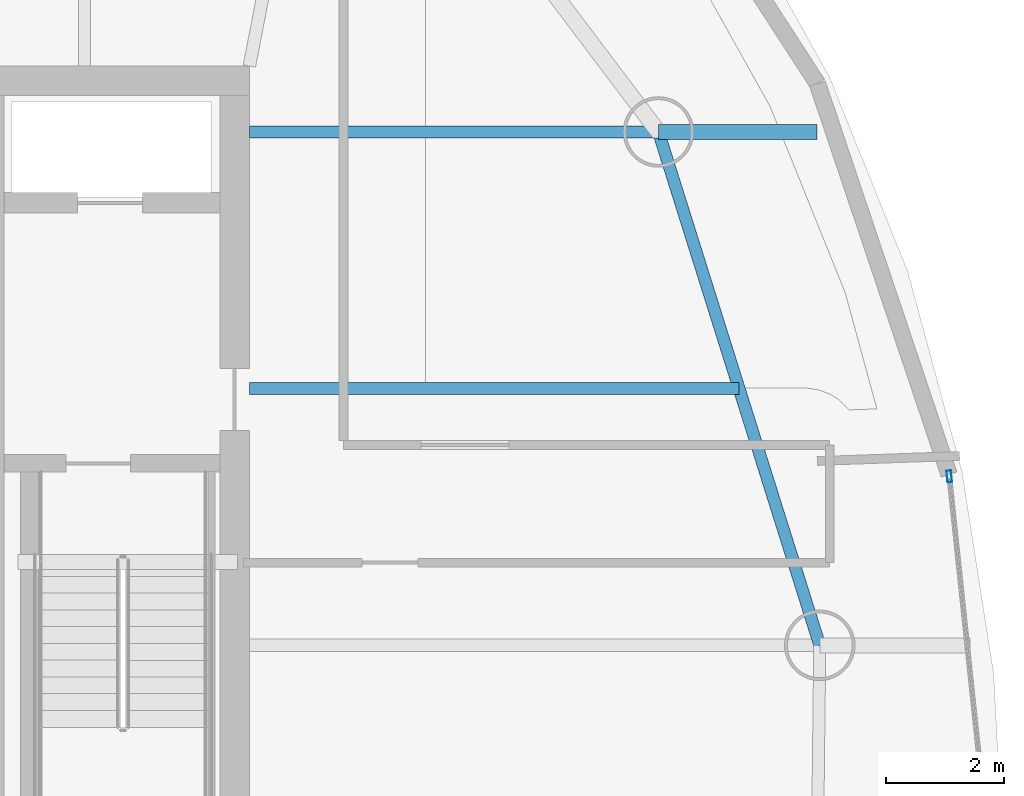
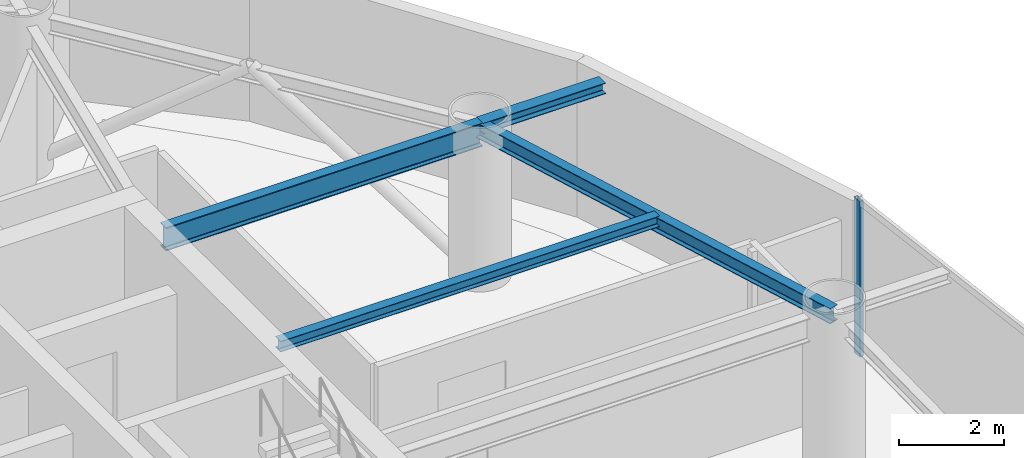
# One storey, part 8 of 20: 4 beams, 1 member, 1 element without a shape of its own.
"""IFC4 building model written with IfcOpenShell, lengths in metres."""

from ifc_helpers import new_model, si_unit, direction, frame, origin, origin_2d, place, context, subcontext, project, spatial, hollow_rectangle, i_section, extrude, material, layer, layer_set, material_profile, profile_set, type_object, element, aggregate, save


model = new_model("IFC4")

# Units and contexts
model_context = context("Model", 3, precision=1e-05, world=origin(), true_north=direction((0.0, 1.0)))
body_context = subcontext(model_context, "Body", "Model", "MODEL_VIEW")
ifc_project = project(units=[si_unit("LENGTHUNIT", "METRE"), si_unit("AREAUNIT", "SQUARE_METRE"), si_unit("VOLUMEUNIT", "CUBIC_METRE"), si_unit("PLANEANGLEUNIT", "RADIAN"), si_unit("MASSUNIT", "GRAM", prefix="KILO")], contexts=[model_context])

# Site, building, storey
site_placement = place(None, origin())
site = spatial("IfcSite", under=ifc_project, at=site_placement, CompositionType="ELEMENT")
building_placement = place(site_placement, origin())
building = spatial("IfcBuilding", under=site, at=building_placement, Name="Bramvorn Convention Spire", CompositionType="ELEMENT")
storey_placement = place(building_placement, frame((0.0, 0.0, 228.949951171875)))
storey = spatial("IfcBuildingStorey", under=building, at=storey_placement, Name="L58", CompositionType="ELEMENT", Elevation=228.949951171875)

# Beams
ifc_material_1 = material(Name="Steel CSA G40.21 Grade 350 (350W)", Category="steel")
ifc_material_profile_1 = material_profile(ifc_material_1, i_section(OverallWidth=0.201904296875, OverallDepth=0.2470703125, WebThickness=0.00732421875, FlangeThickness=0.010986328125, FilletRadius=0.011962890625, at=origin_2d()))
ifc_profile_set_1 = profile_set([ifc_material_profile_1], Name="Steel CSA G40.21 Grade 350 (350W) - W250X49")
beam_type_1 = type_object("IfcBeamType", Name="BM-W250X49", PredefinedType="JOIST", material=ifc_profile_set_1)
beam_1_placement = place(storey_placement, frame((49.25, 27.960205078125, 3.49658203125), z_axis=(1.0, 0.0, 0.0), x_axis=(0.0, 1.0, 0.0)))
element("IfcBeam", 1, at=beam_1_placement, inside=storey, type_object=beam_type_1, Name="L58 composite floor joist 03", PredefinedType="JOIST", context=body_context, shape_type="SweptSolid", body=[
    extrude(i_section(OverallWidth=0.201904296875, OverallDepth=0.2470703125, WebThickness=0.00732421875, FlangeThickness=0.010986328125, FilletRadius=0.011962890625, at=origin_2d()), origin(), (0.0, 0.0, 1.0), 8.33251953125),
])
ifc_material_profile_2 = material_profile(ifc_material_1, i_section(OverallWidth=0.25390625, OverallDepth=0.2529296875, WebThickness=0.008544921875, FlangeThickness=0.01416015625, FilletRadius=0.011962890625, at=origin_2d()))
ifc_profile_set_2 = profile_set([ifc_material_profile_2], Name="Steel CSA G40.21 Grade 350 (350W) - W250X73")
beam_type_2 = type_object("IfcBeamType", Name="BM-W250X73", PredefinedType="BEAM", material=ifc_profile_set_2)
beam_2_placement = place(storey_placement, frame((56.21044921875, 32.327392578125, 3.49365234375), z_axis=(1.0, 0.0, 0.0), x_axis=(0.0, 1.0, 0.0)))
element("IfcBeam", 2, at=beam_2_placement, inside=storey, type_object=beam_type_2, Name="L58 slab-edge cantilever tip beam MC04", PredefinedType="BEAM", context=body_context, shape_type="SweptSolid", body=[
    extrude(i_section(OverallWidth=0.25390625, OverallDepth=0.2529296875, WebThickness=0.008544921875, FlangeThickness=0.01416015625, FilletRadius=0.011962890625, at=origin_2d()), origin(), (0.0, 0.0, 1.0), 2.69580078125),
])
ifc_material_profile_3 = material_profile(ifc_material_1, i_section(OverallWidth=0.205078125, OverallDepth=0.35400390625, WebThickness=0.009521484375, FlangeThickness=0.016845703125, FilletRadius=0.014892578125, at=origin_2d()))
ifc_profile_set_3 = profile_set([ifc_material_profile_3], Name="Steel CSA G40.21 Grade 350 (350W) - W360X79")
beam_type_3 = type_object("IfcBeamType", Name="BM-W360X79", PredefinedType="JOIST", material=ifc_profile_set_3)
beam_3_placement = place(storey_placement, frame((58.95458984375, 23.593505859375, 3.443115234375), z_axis=(-0.299747542929, 0.954018558786, 0.0), x_axis=(-0.954018558786, -0.299747542929, 0.0)))
element("IfcBeam", 3, at=beam_3_placement, inside=storey, type_object=beam_type_3, Name="L58 mega-column ring beam 03", PredefinedType="JOIST", context=body_context, shape_type="SweptSolid", body=[
    extrude(i_section(OverallWidth=0.205078125, OverallDepth=0.35400390625, WebThickness=0.009521484375, FlangeThickness=0.016845703125, FilletRadius=0.014892578125, at=origin_2d()), origin(), (0.0, 0.0, 1.0), 9.15478515625),
])
ifc_material_profile_4 = material_profile(ifc_material_1, i_section(OverallWidth=0.2119140625, OverallDepth=0.5439453125, WebThickness=0.01318359375, FlangeThickness=0.021240234375, FilletRadius=0.01904296875, at=origin_2d()))
ifc_profile_set_4 = profile_set([ifc_material_profile_4], Name="Steel CSA G40.21 Grade 350 (350W) - W530X123")
beam_type_4 = type_object("IfcBeamType", Name="BM-W530X123", PredefinedType="BEAM", material=ifc_profile_set_4)
beam_4_placement = place(storey_placement, frame((49.25, 32.327392578125, 3.34814453125), z_axis=(1.0, 0.0, 0.0), x_axis=(0.0, 1.0, 0.0)))
element("IfcBeam", 4, at=beam_4_placement, inside=storey, type_object=beam_type_4, Name="L58 radial floor girder MC04", PredefinedType="BEAM", context=body_context, shape_type="SweptSolid", body=[
    extrude(i_section(OverallWidth=0.2119140625, OverallDepth=0.5439453125, WebThickness=0.01318359375, FlangeThickness=0.021240234375, FilletRadius=0.01904296875, at=origin_2d()), origin(), (0.0, 0.0, 1.0), 6.96044921875),
])

# Curtain wall, member
ifc_material_2 = material(Name="Anodised Bronze Unitised Curtain Wall", Category="aluminium")
ifc_layer = layer(ifc_material_2, 0.179931640625)
ifc_layer_set = layer_set([ifc_layer], Name="Anodised Bronze Unitised Curtain Wall - CW-OFF-FRIT")
curtain_wall_type = type_object("IfcCurtainWallType", Name="CW-OFF-FRIT", PredefinedType="USERDEFINED", material=ifc_layer_set)
curtain_wall_placement = place(storey_placement, origin())
curtain_wall = element("IfcCurtainWall", 5, at=curtain_wall_placement, inside=storey, type_object=curtain_wall_type, Name="L58 fritted glass curtain wall 04", ObjectType="UNITISED CURTAIN WALL", PredefinedType="USERDEFINED")
ifc_material_3 = material(Name="Anodised Bronze Aluminium 6063-T6", Category="aluminium")
ifc_material_profile_5 = material_profile(ifc_material_3, hollow_rectangle(XDim=0.080078125, YDim=0.199951171875, WallThickness=0.00390625, InnerFilletRadius=0.0009765625, OuterFilletRadius=0.00390625, at=origin_2d()))
ifc_profile_set_5 = profile_set([ifc_material_profile_5], Name="Anodised Bronze Aluminium 6063-T6 - CWM80X200")
member_type = type_object("IfcMemberType", Name="CW-MUL-180", PredefinedType="MULLION", material=ifc_profile_set_5)
member_placement = place(storey_placement, frame((61.157958984375, 26.46875, 0.0), z_axis=(0.0, 0.0, 1.0), x_axis=(0.994436021068, 0.10534229921, 0.0)))
member = element("IfcMember", 6, at=member_placement, type_object=member_type, Name="CW3 mullion 1", PredefinedType="MULLION", context=body_context, shape_type="SweptSolid", body=[
    extrude(hollow_rectangle(XDim=0.080078125, YDim=0.199951171875, WallThickness=0.00390625, InnerFilletRadius=0.0009765625, OuterFilletRadius=0.00390625, at=origin_2d()), origin(), (0.0, 0.0, 1.0), 3.6201171875),
])
aggregate(curtain_wall, [member])

save(model, "model.ifc")
